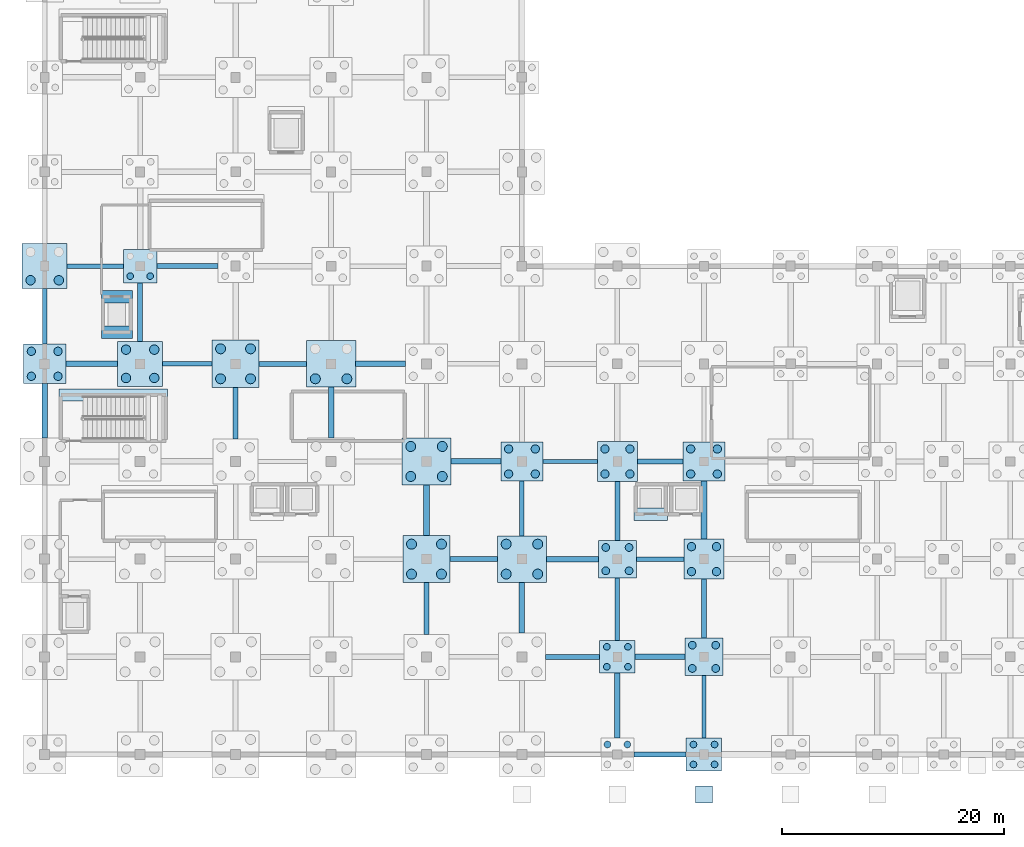
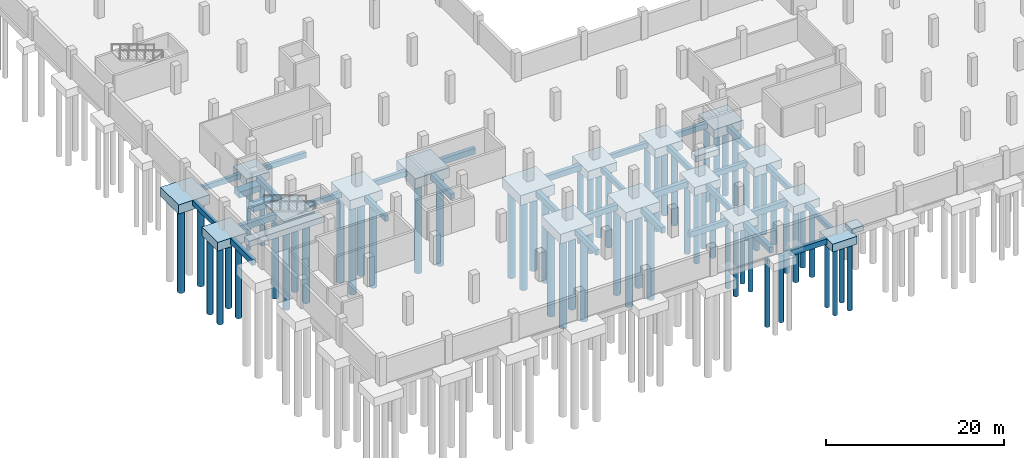
# One storey, part 2 of 28: 64 piles, 52 footings.
"""IFC4 building model written with IfcOpenShell, lengths in metres."""

from ifc_helpers import new_model, si_unit, direction, frame, origin, origin_2d, place, context, subcontext, project, spatial, rectangle, circle, extrude, material, material_profile, profile_set, type_object, element, save


model = new_model("IFC4")

# Units and contexts
model_context = context("Model", 3, precision=1e-05, world=origin(), true_north=direction((0.0, 1.0)))
body_context = subcontext(model_context, "Body", "Model", "MODEL_VIEW")
ifc_project = project(units=[si_unit("LENGTHUNIT", "METRE"), si_unit("AREAUNIT", "SQUARE_METRE"), si_unit("VOLUMEUNIT", "CUBIC_METRE"), si_unit("PLANEANGLEUNIT", "RADIAN"), si_unit("MASSUNIT", "GRAM", prefix="KILO")], contexts=[model_context])

# Site, building, storey
site_placement = place(None, origin())
site = spatial("IfcSite", under=ifc_project, at=site_placement, CompositionType="ELEMENT")
building_placement = place(site_placement, origin())
building = spatial("IfcBuilding", under=site, at=building_placement, Name="Varnakota Cinema and Media Centre", CompositionType="ELEMENT")
storey_placement = place(building_placement, frame((0.0, 0.0, -4.199951171875)))
storey = spatial("IfcBuildingStorey", under=building, at=storey_placement, Name="B1", CompositionType="ELEMENT", Elevation=-4.199951171875)

# Footings
ifc_material_1 = material(Name="Concrete M35", Category="concrete")
ifc_material_profile_1 = material_profile(ifc_material_1, rectangle(XDim=0.39990234375, YDim=0.699951171875, at=origin_2d()), Name="FB 400x700")
ifc_profile_set_1 = profile_set([ifc_material_profile_1], Name="Concrete M35")
footing_type_1 = type_object("IfcFootingType", Name="FB-400x700", PredefinedType="FOOTING_BEAM", material=ifc_profile_set_1)
footing_1_placement = place(storey_placement, frame((53.300048828125, 17.60009765625, -0.60009765625), z_axis=(1.0, 0.0, 0.0), x_axis=(0.0, 1.0, 0.0)))
element("IfcFooting", 1, at=footing_1_placement, inside=storey, type_object=footing_type_1, Name="Foundation tie beam G-H/3", PredefinedType="FOOTING_BEAM", context=body_context, shape_type="SweptSolid", body=[
    extrude(rectangle(XDim=0.39990234375, YDim=0.699951171875, at=origin_2d()), origin(), (0.0, 0.0, 1.0), 4.300048828125),
])
footing_2_placement = place(storey_placement, frame((44.89990234375, 26.39990234375, -0.60009765625), z_axis=(1.0, 0.0, 0.0), x_axis=(0.0, 1.0, 0.0)))
element("IfcFooting", 2, at=footing_2_placement, inside=storey, type_object=footing_type_1, Name="Foundation tie beam F-G/4", PredefinedType="FOOTING_BEAM", context=body_context, shape_type="SweptSolid", body=[
    extrude(rectangle(XDim=0.39990234375, YDim=0.699951171875, at=origin_2d()), origin(), (0.0, 0.0, 1.0), 4.900146484375),
])
footing_3_placement = place(storey_placement, frame((10.625, 35.199951171875, -0.60009765625), z_axis=(1.0, 0.0, 0.0), x_axis=(0.0, 1.0, 0.0)))
element("IfcFooting", 3, at=footing_3_placement, inside=storey, type_object=footing_type_1, Name="Foundation tie beam B-C/5", PredefinedType="FOOTING_BEAM", context=body_context, shape_type="SweptSolid", body=[
    extrude(rectangle(XDim=0.39990234375, YDim=0.699951171875, at=origin_2d()), origin(), (0.0, 0.0, 1.0), 4.449951171875),
])
footing_4_placement = place(storey_placement, frame((2.02490234375, 44.0, -0.60009765625), z_axis=(1.0, 0.0, 0.0), x_axis=(0.0, 1.0, 0.0)))
element("IfcFooting", 4, at=footing_4_placement, inside=storey, type_object=footing_type_1, Name="Foundation tie beam A-B/6", PredefinedType="FOOTING_BEAM", context=body_context, shape_type="SweptSolid", body=[
    extrude(rectangle(XDim=0.39990234375, YDim=0.699951171875, at=origin_2d()), origin(), (0.0, 0.0, 1.0), 5.0751953125),
])
footing_5_placement = place(storey_placement, frame((0.0, 36.97509765625, -0.60009765625), z_axis=(0.0, 1.0, 0.0), x_axis=(-1.0, 0.0, 0.0)))
element("IfcFooting", 5, at=footing_5_placement, inside=storey, type_object=footing_type_1, Name="Foundation tie beam A/5-6", PredefinedType="FOOTING_BEAM", context=body_context, shape_type="SweptSolid", body=[
    extrude(rectangle(XDim=0.39990234375, YDim=0.699951171875, at=origin_2d()), origin(), (0.0, 0.0, 1.0), 5.0),
])
footing_6_placement = place(storey_placement, frame((43.0, 19.699951171875, -0.60009765625), z_axis=(0.0, 1.0, 0.0), x_axis=(-1.0, 0.0, 0.0)))
element("IfcFooting", 6, at=footing_6_placement, inside=storey, type_object=footing_type_1, Name="Foundation tie beam F/3-4", PredefinedType="FOOTING_BEAM", context=body_context, shape_type="SweptSolid", body=[
    extrude(rectangle(XDim=0.39990234375, YDim=0.699951171875, at=origin_2d()), origin(), (0.0, 0.0, 1.0), 4.925048828125),
])
for number, where, z_axis, x_axis, name in (
    (7, (51.60009765625, 10.27490234375, -0.60009765625), (0.0, 1.0, 0.0), (-1.0, 0.0, 0.0), "Foundation tie beam G/2-3"),
    (8, (59.39990234375, 1.47509765625, -0.60009765625), (0.0, 1.0, 0.0), (-1.0, 0.0, 0.0), "Foundation tie beam H/1-2"),
):
    element("IfcFooting", number, at=place(storey_placement, frame(where, z_axis=z_axis, x_axis=x_axis)), inside=storey, type_object=footing_type_1, Name=name, PredefinedType="FOOTING_BEAM", context=body_context, shape_type="SweptSolid", body=[
        extrude(rectangle(XDim=0.39990234375, YDim=0.699951171875, at=origin_2d()), origin(), (0.0, 0.0, 1.0), 5.625),
    ])
ifc_material_2 = material(Name="Concrete M35", Category="concrete")
ifc_material_profile_2 = material_profile(ifc_material_2, rectangle(XDim=0.449951171875, YDim=0.75, at=origin_2d()), Name="FB 450x750")
ifc_profile_set_2 = profile_set([ifc_material_profile_2], Name="Concrete M35")
footing_type_2 = type_object("IfcFootingType", Name="FB-450x750", PredefinedType="FOOTING_BEAM", material=ifc_profile_set_2)
footing_7_placement = place(storey_placement, frame((53.10009765625, 0.0, -0.625), z_axis=(1.0, 0.0, 0.0), x_axis=(0.0, 1.0, 0.0)))
element("IfcFooting", 9, at=footing_7_placement, inside=storey, type_object=footing_type_2, Name="Foundation tie beam G-H/1", PredefinedType="FOOTING_BEAM", context=body_context, shape_type="SweptSolid", body=[
    extrude(rectangle(XDim=0.449951171875, YDim=0.75, at=origin_2d()), origin(), (0.0, 0.0, 1.0), 4.699951171875),
])
footing_8_placement = place(storey_placement, frame((45.125, 8.800048828125, -0.625), z_axis=(1.0, 0.0, 0.0), x_axis=(0.0, 1.0, 0.0)))
element("IfcFooting", 10, at=footing_8_placement, inside=storey, type_object=footing_type_2, Name="Foundation tie beam F-G/2", PredefinedType="FOOTING_BEAM", context=body_context, shape_type="SweptSolid", body=[
    extrude(rectangle(XDim=0.449951171875, YDim=0.75, at=origin_2d()), origin(), (0.0, 0.0, 1.0), 4.875),
])
footing_9_placement = place(storey_placement, frame((36.52490234375, 17.60009765625, -0.625), z_axis=(1.0, 0.0, 0.0), x_axis=(0.0, 1.0, 0.0)))
element("IfcFooting", 11, at=footing_9_placement, inside=storey, type_object=footing_type_2, Name="Foundation tie beam E-F/3", PredefinedType="FOOTING_BEAM", context=body_context, shape_type="SweptSolid", body=[
    extrude(rectangle(XDim=0.449951171875, YDim=0.75, at=origin_2d()), origin(), (0.0, 0.0, 1.0), 4.25),
])
footing_10_placement = place(storey_placement, frame((53.39990234375, 26.39990234375, -0.625), z_axis=(1.0, 0.0, 0.0), x_axis=(0.0, 1.0, 0.0)))
element("IfcFooting", 12, at=footing_10_placement, inside=storey, type_object=footing_type_2, Name="Foundation tie beam G-H/4", PredefinedType="FOOTING_BEAM", context=body_context, shape_type="SweptSolid", body=[
    extrude(rectangle(XDim=0.449951171875, YDim=0.75, at=origin_2d()), origin(), (0.0, 0.0, 1.0), 4.10009765625),
])
footing_11_placement = place(storey_placement, frame((19.324951171875, 35.199951171875, -0.625), z_axis=(1.0, 0.0, 0.0), x_axis=(0.0, 1.0, 0.0)))
element("IfcFooting", 13, at=footing_11_placement, inside=storey, type_object=footing_type_2, Name="Foundation tie beam C-D/5", PredefinedType="FOOTING_BEAM", context=body_context, shape_type="SweptSolid", body=[
    extrude(rectangle(XDim=0.449951171875, YDim=0.75, at=origin_2d()), origin(), (0.0, 0.0, 1.0), 4.25),
])
footing_12_placement = place(storey_placement, frame((10.10009765625, 44.0, -0.625), z_axis=(1.0, 0.0, 0.0), x_axis=(0.0, 1.0, 0.0)))
element("IfcFooting", 14, at=footing_12_placement, inside=storey, type_object=footing_type_2, Name="Foundation tie beam B-C/6", PredefinedType="FOOTING_BEAM", context=body_context, shape_type="SweptSolid", body=[
    extrude(rectangle(XDim=0.449951171875, YDim=0.75, at=origin_2d()), origin(), (0.0, 0.0, 1.0), 5.5),
])
footing_13_placement = place(storey_placement, frame((8.60009765625, 37.22509765625, -0.625), z_axis=(0.0, 1.0, 0.0), x_axis=(-1.0, 0.0, 0.0)))
element("IfcFooting", 15, at=footing_13_placement, inside=storey, type_object=footing_type_2, Name="Foundation tie beam B/5-6", PredefinedType="FOOTING_BEAM", context=body_context, shape_type="SweptSolid", body=[
    extrude(rectangle(XDim=0.449951171875, YDim=0.75, at=origin_2d()), origin(), (0.0, 0.0, 1.0), 5.27490234375),
])
footing_14_placement = place(storey_placement, frame((17.199951171875, 28.425048828125, -0.625), z_axis=(0.0, 1.0, 0.0), x_axis=(-1.0, 0.0, 0.0)))
element("IfcFooting", 16, at=footing_14_placement, inside=storey, type_object=footing_type_2, Name="Foundation tie beam C/4-5", PredefinedType="FOOTING_BEAM", context=body_context, shape_type="SweptSolid", body=[
    extrude(rectangle(XDim=0.449951171875, YDim=0.75, at=origin_2d()), origin(), (0.0, 0.0, 1.0), 4.64990234375),
])
footing_15_placement = place(storey_placement, frame((34.39990234375, 10.824951171875, -0.625), z_axis=(0.0, 1.0, 0.0), x_axis=(-1.0, 0.0, 0.0)))
element("IfcFooting", 17, at=footing_15_placement, inside=storey, type_object=footing_type_2, Name="Foundation tie beam E/2-3", PredefinedType="FOOTING_BEAM", context=body_context, shape_type="SweptSolid", body=[
    extrude(rectangle(XDim=0.449951171875, YDim=0.75, at=origin_2d()), origin(), (0.0, 0.0, 1.0), 4.650146484375),
])
for number, where, z_axis, x_axis, name in (
    (18, (51.60009765625, 19.300048828125, -0.625), (0.0, 1.0, 0.0), (-1.0, 0.0, 0.0), "Foundation tie beam G/3-4"),
    (19, (59.39990234375, 10.5, -0.625), (0.0, 1.0, 0.0), (-1.0, 0.0, 0.0), "Foundation tie beam H/2-3"),
):
    element("IfcFooting", number, at=place(storey_placement, frame(where, z_axis=z_axis, x_axis=x_axis)), inside=storey, type_object=footing_type_2, Name=name, PredefinedType="FOOTING_BEAM", context=body_context, shape_type="SweptSolid", body=[
        extrude(rectangle(XDim=0.449951171875, YDim=0.75, at=origin_2d()), origin(), (0.0, 0.0, 1.0), 5.300048828125),
    ])
ifc_material_3 = material(Name="Concrete M35", Category="concrete")
ifc_material_profile_3 = material_profile(ifc_material_3, rectangle(XDim=0.5, YDim=0.800048828125, at=origin_2d()), Name="FB 500x800")
ifc_profile_set_3 = profile_set([ifc_material_profile_3], Name="Concrete M35")
footing_type_3 = type_object("IfcFootingType", Name="FB-500x800", PredefinedType="FOOTING_BEAM", material=ifc_profile_set_3)
footing_16_placement = place(storey_placement, frame((53.199951171875, 8.800048828125, -0.650146484375), z_axis=(1.0, 0.0, 0.0), x_axis=(0.0, 1.0, 0.0)))
element("IfcFooting", 20, at=footing_16_placement, inside=storey, type_object=footing_type_3, Name="Foundation tie beam G-H/2", PredefinedType="FOOTING_BEAM", context=body_context, shape_type="SweptSolid", body=[
    extrude(rectangle(XDim=0.5, YDim=0.800048828125, at=origin_2d()), origin(), (0.0, 0.0, 1.0), 4.5),
])
footing_17_placement = place(storey_placement, frame((45.22509765625, 17.60009765625, -0.650146484375), z_axis=(1.0, 0.0, 0.0), x_axis=(0.0, 1.0, 0.0)))
element("IfcFooting", 21, at=footing_17_placement, inside=storey, type_object=footing_type_3, Name="Foundation tie beam F-G/3", PredefinedType="FOOTING_BEAM", context=body_context, shape_type="SweptSolid", body=[
    extrude(rectangle(XDim=0.5, YDim=0.800048828125, at=origin_2d()), origin(), (0.0, 0.0, 1.0), 4.6748046875),
])
footing_18_placement = place(storey_placement, frame((36.625, 26.39990234375, -0.650146484375), z_axis=(1.0, 0.0, 0.0), x_axis=(0.0, 1.0, 0.0)))
element("IfcFooting", 22, at=footing_18_placement, inside=storey, type_object=footing_type_3, Name="Foundation tie beam E-F/4", PredefinedType="FOOTING_BEAM", context=body_context, shape_type="SweptSolid", body=[
    extrude(rectangle(XDim=0.5, YDim=0.800048828125, at=origin_2d()), origin(), (0.0, 0.0, 1.0), 4.47509765625),
])
footing_19_placement = place(storey_placement, frame((1.89990234375, 35.199951171875, -0.650146484375), z_axis=(1.0, 0.0, 0.0), x_axis=(0.0, 1.0, 0.0)))
element("IfcFooting", 23, at=footing_19_placement, inside=storey, type_object=footing_type_3, Name="Foundation tie beam A-B/5", PredefinedType="FOOTING_BEAM", context=body_context, shape_type="SweptSolid", body=[
    extrude(rectangle(XDim=0.5, YDim=0.800048828125, at=origin_2d()), origin(), (0.0, 0.0, 1.0), 4.675048828125),
])
footing_20_placement = place(storey_placement, frame((28.02490234375, 35.199951171875, -0.650146484375), z_axis=(1.0, 0.0, 0.0), x_axis=(0.0, 1.0, 0.0)))
element("IfcFooting", 24, at=footing_20_placement, inside=storey, type_object=footing_type_3, Name="Foundation tie beam D-E/5", PredefinedType="FOOTING_BEAM", context=body_context, shape_type="SweptSolid", body=[
    extrude(rectangle(XDim=0.5, YDim=0.800048828125, at=origin_2d()), origin(), (0.0, 0.0, 1.0), 4.47509765625),
])
footing_21_placement = place(storey_placement, frame((0.0, 28.5, -0.650146484375), z_axis=(0.0, 1.0, 0.0), x_axis=(-1.0, 0.0, 0.0)))
element("IfcFooting", 25, at=footing_21_placement, inside=storey, type_object=footing_type_3, Name="Foundation tie beam A/4-5", PredefinedType="FOOTING_BEAM", context=body_context, shape_type="SweptSolid", body=[
    extrude(rectangle(XDim=0.5, YDim=0.800048828125, at=origin_2d()), origin(), (0.0, 0.0, 1.0), 4.925048828125),
])
footing_22_placement = place(storey_placement, frame((25.800048828125, 28.52490234375, -0.650146484375), z_axis=(0.0, 1.0, 0.0), x_axis=(-1.0, 0.0, 0.0)))
element("IfcFooting", 26, at=footing_22_placement, inside=storey, type_object=footing_type_3, Name="Foundation tie beam D/4-5", PredefinedType="FOOTING_BEAM", context=body_context, shape_type="SweptSolid", body=[
    extrude(rectangle(XDim=0.5, YDim=0.800048828125, at=origin_2d()), origin(), (0.0, 0.0, 1.0), 4.5751953125),
])
for number, where, z_axis, x_axis, name in (
    (27, (34.39990234375, 19.72509765625, -0.650146484375), (0.0, 1.0, 0.0), (-1.0, 0.0, 0.0), "Foundation tie beam E/3-4"),
    (28, (43.0, 10.925048828125, -0.650146484375), (0.0, 1.0, 0.0), (-1.0, 0.0, 0.0), "Foundation tie beam F/2-3"),
):
    element("IfcFooting", number, at=place(storey_placement, frame(where, z_axis=z_axis, x_axis=x_axis)), inside=storey, type_object=footing_type_3, Name=name, PredefinedType="FOOTING_BEAM", context=body_context, shape_type="SweptSolid", body=[
        extrude(rectangle(XDim=0.5, YDim=0.800048828125, at=origin_2d()), origin(), (0.0, 0.0, 1.0), 4.574951171875),
    ])
footing_23_placement = place(storey_placement, frame((51.60009765625, 1.5, -0.650146484375), z_axis=(0.0, 1.0, 0.0), x_axis=(-1.0, 0.0, 0.0)))
element("IfcFooting", 29, at=footing_23_placement, inside=storey, type_object=footing_type_3, Name="Foundation tie beam G/1-2", PredefinedType="FOOTING_BEAM", context=body_context, shape_type="SweptSolid", body=[
    extrude(rectangle(XDim=0.5, YDim=0.800048828125, at=origin_2d()), origin(), (0.0, 0.0, 1.0), 5.824951171875),
])
footing_24_placement = place(storey_placement, frame((59.39990234375, 19.39990234375, -0.650146484375), z_axis=(0.0, 1.0, 0.0), x_axis=(-1.0, 0.0, 0.0)))
element("IfcFooting", 30, at=footing_24_placement, inside=storey, type_object=footing_type_3, Name="Foundation tie beam H/3-4", PredefinedType="FOOTING_BEAM", context=body_context, shape_type="SweptSolid", body=[
    extrude(rectangle(XDim=0.5, YDim=0.800048828125, at=origin_2d()), origin(), (0.0, 0.0, 1.0), 5.22509765625),
])
ifc_material_4 = material(Name="Concrete M35", Category="concrete")
footing_type_4 = type_object("IfcFootingType", Name="PC-4P-600", PredefinedType="PILE_CAP", material=ifc_material_4)
footing_25_placement = place(storey_placement, frame((8.60009765625, 44.0, -1.30029296875), z_axis=(0.0, 0.0, 1.0), x_axis=(1.0, 0.0, 0.0)))
element("IfcFooting", 31, at=footing_25_placement, inside=storey, type_object=footing_type_4, Name="Pile cap B/6", PredefinedType="PILE_CAP", context=body_context, shape_type="SweptSolid", body=[
    extrude(rectangle(XDim=3.0, YDim=3.0, at=origin_2d()), origin(), (0.0, 0.0, 1.0), 1.050048828125),
])
ifc_material_5 = material(Name="Concrete M35", Category="concrete")
footing_type_5 = type_object("IfcFootingType", Name="PC-4P-600R", PredefinedType="PILE_CAP", material=ifc_material_5)
for number, where, z_axis, x_axis, name in (
    (32, (51.60009765625, 8.800048828125, -1.330078125), (0.0, 0.0, 1.0), (1.0, 0.0, 0.0), "Pile cap G/2"),
    (33, (59.39990234375, 0.0, -1.330078125), (0.0, 0.0, 1.0), (1.0, 0.0, 0.0), "Pile cap H/1"),
):
    element("IfcFooting", number, at=place(storey_placement, frame(where, z_axis=z_axis, x_axis=x_axis)), inside=storey, type_object=footing_type_5, Name=name, PredefinedType="PILE_CAP", context=body_context, shape_type="SweptSolid", body=[
        extrude(rectangle(XDim=3.199951171875, YDim=2.949951171875, at=origin_2d()), origin(), (0.0, 0.0, 1.0), 1.080078125),
    ])
ifc_material_6 = material(Name="Concrete M35", Category="concrete")
footing_type_6 = type_object("IfcFootingType", Name="PC-4P-700", PredefinedType="PILE_CAP", material=ifc_material_6)
for number, where, z_axis, x_axis, name in (
    (34, (51.60009765625, 17.60009765625, -1.3701171875), (0.0, 0.0, 1.0), (1.0, 0.0, 0.0), "Pile cap G/3"),
    (35, (59.39990234375, 8.800048828125, -1.3701171875), (0.0, 0.0, 1.0), (1.0, 0.0, 0.0), "Pile cap H/2"),
):
    element("IfcFooting", number, at=place(storey_placement, frame(where, z_axis=z_axis, x_axis=x_axis)), inside=storey, type_object=footing_type_6, Name=name, PredefinedType="PILE_CAP", context=body_context, shape_type="SweptSolid", body=[
        extrude(rectangle(XDim=3.39990234375, YDim=3.39990234375, at=origin_2d()), origin(), (0.0, 0.0, 1.0), 1.1201171875),
    ])
ifc_material_7 = material(Name="Concrete M35", Category="concrete")
footing_type_7 = type_object("IfcFootingType", Name="PC-4P-750", PredefinedType="PILE_CAP", material=ifc_material_7)
for number, where, z_axis, x_axis, name in (
    (36, (51.60009765625, 26.39990234375, -1.43017578125), (0.0, 0.0, 1.0), (1.0, 0.0, 0.0), "Pile cap G/4"),
    (37, (59.39990234375, 17.60009765625, -1.43017578125), (0.0, 0.0, 1.0), (1.0, 0.0, 0.0), "Pile cap H/3"),
):
    element("IfcFooting", number, at=place(storey_placement, frame(where, z_axis=z_axis, x_axis=x_axis)), inside=storey, type_object=footing_type_7, Name=name, PredefinedType="PILE_CAP", context=body_context, shape_type="SweptSolid", body=[
        extrude(rectangle(XDim=3.60009765625, YDim=3.60009765625, at=origin_2d()), origin(), (0.0, 0.0, 1.0), 1.179931640625),
    ])
ifc_material_8 = material(Name="Concrete M35", Category="concrete")
footing_type_8 = type_object("IfcFootingType", Name="PC-4P-750R", PredefinedType="PILE_CAP", material=ifc_material_8)
for number, where, z_axis, x_axis, name in (
    (38, (0.0, 35.199951171875, -1.4501953125), (0.0, 0.0, 1.0), (1.0, 0.0, 0.0), "Pile cap A/5"),
    (39, (43.0, 26.39990234375, -1.4501953125), (0.0, 0.0, 1.0), (1.0, 0.0, 0.0), "Pile cap F/4"),
    (40, (59.39990234375, 26.39990234375, -1.4501953125), (0.0, 0.0, 1.0), (1.0, 0.0, 0.0), "Pile cap H/4"),
):
    element("IfcFooting", number, at=place(storey_placement, frame(where, z_axis=z_axis, x_axis=x_axis)), inside=storey, type_object=footing_type_8, Name=name, PredefinedType="PILE_CAP", context=body_context, shape_type="SweptSolid", body=[
        extrude(rectangle(XDim=3.800048828125, YDim=3.550048828125, at=origin_2d()), origin(), (0.0, 0.0, 1.0), 1.199951171875),
    ])
ifc_material_9 = material(Name="Concrete M35", Category="concrete")
footing_type_9 = type_object("IfcFootingType", Name="PC-4P-850", PredefinedType="PILE_CAP", material=ifc_material_9)
for number, where, z_axis, x_axis, name in (
    (41, (0.0, 44.0, -1.5), (0.0, 0.0, 1.0), (1.0, 0.0, 0.0), "Pile cap A/6"),
    (42, (8.60009765625, 35.199951171875, -1.5), (0.0, 0.0, 1.0), (1.0, 0.0, 0.0), "Pile cap B/5"),
):
    element("IfcFooting", number, at=place(storey_placement, frame(where, z_axis=z_axis, x_axis=x_axis)), inside=storey, type_object=footing_type_9, Name=name, PredefinedType="PILE_CAP", context=body_context, shape_type="SweptSolid", body=[
        extrude(rectangle(XDim=4.050048828125, YDim=4.050048828125, at=origin_2d()), origin(), (0.0, 0.0, 1.0), 1.25),
    ])
ifc_material_10 = material(Name="Concrete M35", Category="concrete")
footing_type_10 = type_object("IfcFootingType", Name="PC-4P-900", PredefinedType="PILE_CAP", material=ifc_material_10)
for number, where, z_axis, x_axis, name in (
    (43, (17.199951171875, 35.199951171875, -1.55029296875), (0.0, 0.0, 1.0), (1.0, 0.0, 0.0), "Pile cap C/5"),
    (44, (34.39990234375, 17.60009765625, -1.55029296875), (0.0, 0.0, 1.0), (1.0, 0.0, 0.0), "Pile cap E/3"),
):
    element("IfcFooting", number, at=place(storey_placement, frame(where, z_axis=z_axis, x_axis=x_axis)), inside=storey, type_object=footing_type_10, Name=name, PredefinedType="PILE_CAP", context=body_context, shape_type="SweptSolid", body=[
        extrude(rectangle(XDim=4.25, YDim=4.25, at=origin_2d()), origin(), (0.0, 0.0, 1.0), 1.300048828125),
    ])
ifc_material_11 = material(Name="Concrete M35", Category="concrete")
footing_type_11 = type_object("IfcFootingType", Name="PC-4P-900W", PredefinedType="PILE_CAP", material=ifc_material_11)
for number, where, z_axis, x_axis, name in (
    (45, (25.800048828125, 35.199951171875, -1.60009765625), (0.0, 0.0, 1.0), (1.0, 0.0, 0.0), "Pile cap D/5"),
    (46, (34.39990234375, 26.39990234375, -1.60009765625), (0.0, 0.0, 1.0), (1.0, 0.0, 0.0), "Pile cap E/4"),
    (47, (43.0, 17.60009765625, -1.60009765625), (0.0, 0.0, 1.0), (1.0, 0.0, 0.0), "Pile cap F/3"),
):
    element("IfcFooting", number, at=place(storey_placement, frame(where, z_axis=z_axis, x_axis=x_axis)), inside=storey, type_object=footing_type_11, Name=name, PredefinedType="PILE_CAP", context=body_context, shape_type="SweptSolid", body=[
        extrude(rectangle(XDim=4.449951171875, YDim=4.199951171875, at=origin_2d()), origin(), (0.0, 0.0, 1.0), 1.35009765625),
    ])
ifc_material_12 = material(Name="Concrete M35", Category="concrete")
footing_type_12 = type_object("IfcFootingType", Name="PF-150", PredefinedType="PAD_FOOTING", material=ifc_material_12)
footing_26_placement = place(storey_placement, frame((59.39990234375, -3.60009765625, 2.594970703125), z_axis=(0.0, 0.0, 1.0), x_axis=(1.0, 0.0, 0.0)))
element("IfcFooting", 48, at=footing_26_placement, inside=storey, type_object=footing_type_12, Name="South forecourt edge pad footing 3", PredefinedType="PAD_FOOTING", context=body_context, shape_type="SweptSolid", body=[
    extrude(rectangle(XDim=1.5, YDim=1.5, at=origin_2d()), origin(), (0.0, 0.0, 1.0), 0.64990234375),
])

# Piles
ifc_material_13 = material(Name="Concrete M35", Category="concrete")
ifc_material_profile_4 = material_profile(ifc_material_13, circle(Radius=0.300048828125, at=origin_2d()), Name="PILE D600")
ifc_profile_set_4 = profile_set([ifc_material_profile_4], Name="Concrete M35")
pile_type_1 = type_object("IfcPileType", Name="PILE-D600", PredefinedType="BORED", material=ifc_profile_set_4)
for number, where, z_axis, x_axis, name in (
    (49, (7.699951171875, 43.10009765625, -1.199951171875), (0.0, 0.0, -1.0), (1.0, 0.0, 0.0), "Bored pile B/6-1"),
    (50, (9.5, 43.10009765625, -1.199951171875), (0.0, 0.0, -1.0), (1.0, 0.0, 0.0), "Bored pile B/6-2"),
    (51, (50.699951171875, 0.89990234375, -1.199951171875), (0.0, 0.0, -1.0), (1.0, 0.0, 0.0), "Bored pile G/1-3"),
    (52, (52.5, 0.89990234375, -1.199951171875), (0.0, 0.0, -1.0), (1.0, 0.0, 0.0), "Bored pile G/1-4"),
    (53, (50.64990234375, 7.89990234375, -1.22998046875), (0.0, 0.0, -1.0), (1.0, 0.0, 0.0), "Bored pile G/2-1"),
    (54, (52.550048828125, 7.89990234375, -1.22998046875), (0.0, 0.0, -1.0), (1.0, 0.0, 0.0), "Bored pile G/2-2"),
    (55, (50.64990234375, 9.699951171875, -1.22998046875), (0.0, 0.0, -1.0), (1.0, 0.0, 0.0), "Bored pile G/2-3"),
    (56, (52.550048828125, 9.699951171875, -1.22998046875), (0.0, 0.0, -1.0), (1.0, 0.0, 0.0), "Bored pile G/2-4"),
    (57, (58.449951171875, -0.89990234375, -1.22998046875), (0.0, 0.0, -1.0), (1.0, 0.0, 0.0), "Bored pile H/1-1"),
    (58, (60.35009765625, -0.89990234375, -1.22998046875), (0.0, 0.0, -1.0), (1.0, 0.0, 0.0), "Bored pile H/1-2"),
    (59, (58.449951171875, 0.89990234375, -1.22998046875), (0.0, 0.0, -1.0), (1.0, 0.0, 0.0), "Bored pile H/1-3"),
    (60, (60.35009765625, 0.89990234375, -1.22998046875), (0.0, 0.0, -1.0), (1.0, 0.0, 0.0), "Bored pile H/1-4"),
):
    element("IfcPile", number, at=place(storey_placement, frame(where, z_axis=z_axis, x_axis=x_axis)), inside=storey, type_object=pile_type_1, Name=name, PredefinedType="BORED", context=body_context, shape_type="SweptSolid", body=[
        extrude(circle(Radius=0.300048828125, at=origin_2d()), origin(), (0.0, 0.0, 1.0), 9.199951171875),
    ])
ifc_material_14 = material(Name="Concrete M35", Category="concrete")
ifc_material_profile_5 = material_profile(ifc_material_14, circle(Radius=0.35009765625, at=origin_2d()), Name="PILE D700")
ifc_profile_set_5 = profile_set([ifc_material_profile_5], Name="Concrete M35")
pile_type_2 = type_object("IfcPileType", Name="PILE-D700", PredefinedType="BORED", material=ifc_profile_set_5)
for number, where, z_axis, x_axis, name in (
    (61, (50.550048828125, 16.550048828125, -1.27001953125), (0.0, 0.0, -1.0), (1.0, 0.0, 0.0), "Bored pile G/3-1"),
    (62, (52.64990234375, 16.550048828125, -1.27001953125), (0.0, 0.0, -1.0), (1.0, 0.0, 0.0), "Bored pile G/3-2"),
    (63, (50.550048828125, 18.64990234375, -1.27001953125), (0.0, 0.0, -1.0), (1.0, 0.0, 0.0), "Bored pile G/3-3"),
    (64, (52.64990234375, 18.64990234375, -1.27001953125), (0.0, 0.0, -1.0), (1.0, 0.0, 0.0), "Bored pile G/3-4"),
    (65, (58.35009765625, 7.75, -1.27001953125), (0.0, 0.0, -1.0), (1.0, 0.0, 0.0), "Bored pile H/2-1"),
    (66, (60.449951171875, 7.75, -1.27001953125), (0.0, 0.0, -1.0), (1.0, 0.0, 0.0), "Bored pile H/2-2"),
    (67, (58.35009765625, 9.85009765625, -1.27001953125), (0.0, 0.0, -1.0), (1.0, 0.0, 0.0), "Bored pile H/2-3"),
    (68, (60.449951171875, 9.85009765625, -1.27001953125), (0.0, 0.0, -1.0), (1.0, 0.0, 0.0), "Bored pile H/2-4"),
):
    element("IfcPile", number, at=place(storey_placement, frame(where, z_axis=z_axis, x_axis=x_axis)), inside=storey, type_object=pile_type_2, Name=name, PredefinedType="BORED", context=body_context, shape_type="SweptSolid", body=[
        extrude(circle(Radius=0.35009765625, at=origin_2d()), origin(), (0.0, 0.0, 1.0), 9.800048828125),
    ])
ifc_material_15 = material(Name="Concrete M35", Category="concrete")
ifc_material_profile_6 = material_profile(ifc_material_15, circle(Radius=0.375, at=origin_2d()), Name="PILE D750")
ifc_profile_set_6 = profile_set([ifc_material_profile_6], Name="Concrete M35")
pile_type_3 = type_object("IfcPileType", Name="PILE-D750", PredefinedType="BORED", material=ifc_profile_set_6)
for number, where, z_axis, x_axis, name in (
    (69, (-1.199951171875, 34.074951171875, -1.35009765625), (0.0, 0.0, -1.0), (1.0, 0.0, 0.0), "Bored pile A/5-1"),
    (70, (1.199951171875, 34.074951171875, -1.35009765625), (0.0, 0.0, -1.0), (1.0, 0.0, 0.0), "Bored pile A/5-2"),
    (71, (-1.199951171875, 36.324951171875, -1.35009765625), (0.0, 0.0, -1.0), (1.0, 0.0, 0.0), "Bored pile A/5-3"),
    (72, (1.199951171875, 36.324951171875, -1.35009765625), (0.0, 0.0, -1.0), (1.0, 0.0, 0.0), "Bored pile A/5-4"),
    (73, (41.800048828125, 25.27490234375, -1.35009765625), (0.0, 0.0, -1.0), (1.0, 0.0, 0.0), "Bored pile F/4-1"),
    (74, (44.199951171875, 25.27490234375, -1.35009765625), (0.0, 0.0, -1.0), (1.0, 0.0, 0.0), "Bored pile F/4-2"),
    (75, (41.800048828125, 27.52490234375, -1.35009765625), (0.0, 0.0, -1.0), (1.0, 0.0, 0.0), "Bored pile F/4-3"),
    (76, (44.199951171875, 27.52490234375, -1.35009765625), (0.0, 0.0, -1.0), (1.0, 0.0, 0.0), "Bored pile F/4-4"),
    (77, (50.47509765625, 25.27490234375, -1.330078125), (0.0, 0.0, -1.0), (1.0, 0.0, 0.0), "Bored pile G/4-1"),
    (78, (52.72509765625, 25.27490234375, -1.330078125), (0.0, 0.0, -1.0), (1.0, 0.0, 0.0), "Bored pile G/4-2"),
    (79, (50.47509765625, 27.52490234375, -1.330078125), (0.0, 0.0, -1.0), (1.0, 0.0, 0.0), "Bored pile G/4-3"),
    (80, (52.72509765625, 27.52490234375, -1.330078125), (0.0, 0.0, -1.0), (1.0, 0.0, 0.0), "Bored pile G/4-4"),
    (81, (58.27490234375, 16.47509765625, -1.330078125), (0.0, 0.0, -1.0), (1.0, 0.0, 0.0), "Bored pile H/3-1"),
    (82, (60.52490234375, 16.47509765625, -1.330078125), (0.0, 0.0, -1.0), (1.0, 0.0, 0.0), "Bored pile H/3-2"),
    (83, (58.27490234375, 18.72509765625, -1.330078125), (0.0, 0.0, -1.0), (1.0, 0.0, 0.0), "Bored pile H/3-3"),
    (84, (60.52490234375, 18.72509765625, -1.330078125), (0.0, 0.0, -1.0), (1.0, 0.0, 0.0), "Bored pile H/3-4"),
    (85, (58.199951171875, 25.27490234375, -1.35009765625), (0.0, 0.0, -1.0), (1.0, 0.0, 0.0), "Bored pile H/4-1"),
    (86, (60.60009765625, 25.27490234375, -1.35009765625), (0.0, 0.0, -1.0), (1.0, 0.0, 0.0), "Bored pile H/4-2"),
    (87, (58.199951171875, 27.52490234375, -1.35009765625), (0.0, 0.0, -1.0), (1.0, 0.0, 0.0), "Bored pile H/4-3"),
    (88, (60.60009765625, 27.52490234375, -1.35009765625), (0.0, 0.0, -1.0), (1.0, 0.0, 0.0), "Bored pile H/4-4"),
):
    element("IfcPile", number, at=place(storey_placement, frame(where, z_axis=z_axis, x_axis=x_axis)), inside=storey, type_object=pile_type_3, Name=name, PredefinedType="BORED", context=body_context, shape_type="SweptSolid", body=[
        extrude(circle(Radius=0.375, at=origin_2d()), origin(), (0.0, 0.0, 1.0), 10.60009765625),
    ])
ifc_material_16 = material(Name="Concrete M35", Category="concrete")
ifc_material_profile_7 = material_profile(ifc_material_16, circle(Radius=0.425048828125, at=origin_2d()), Name="PILE D850")
ifc_profile_set_7 = profile_set([ifc_material_profile_7], Name="Concrete M35")
pile_type_4 = type_object("IfcPileType", Name="PILE-D850", PredefinedType="BORED", material=ifc_profile_set_7)
for number, where, z_axis, x_axis, name in (
    (89, (-1.27490234375, 42.72509765625, -1.400146484375), (0.0, 0.0, -1.0), (1.0, 0.0, 0.0), "Bored pile A/6-1"),
    (90, (1.27490234375, 42.72509765625, -1.400146484375), (0.0, 0.0, -1.0), (1.0, 0.0, 0.0), "Bored pile A/6-2"),
    (91, (7.324951171875, 33.925048828125, -1.400146484375), (0.0, 0.0, -1.0), (1.0, 0.0, 0.0), "Bored pile B/5-1"),
    (92, (9.875, 33.925048828125, -1.400146484375), (0.0, 0.0, -1.0), (1.0, 0.0, 0.0), "Bored pile B/5-2"),
    (93, (7.324951171875, 36.47509765625, -1.400146484375), (0.0, 0.0, -1.0), (1.0, 0.0, 0.0), "Bored pile B/5-3"),
    (94, (9.875, 36.47509765625, -1.400146484375), (0.0, 0.0, -1.0), (1.0, 0.0, 0.0), "Bored pile B/5-4"),
):
    element("IfcPile", number, at=place(storey_placement, frame(where, z_axis=z_axis, x_axis=x_axis)), inside=storey, type_object=pile_type_4, Name=name, PredefinedType="BORED", context=body_context, shape_type="SweptSolid", body=[
        extrude(circle(Radius=0.425048828125, at=origin_2d()), origin(), (0.0, 0.0, 1.0), 11.39990234375),
    ])
ifc_material_17 = material(Name="Concrete M35", Category="concrete")
ifc_material_profile_8 = material_profile(ifc_material_17, circle(Radius=0.449951171875, at=origin_2d()), Name="PILE D900")
ifc_profile_set_8 = profile_set([ifc_material_profile_8], Name="Concrete M35")
pile_type_5 = type_object("IfcPileType", Name="PILE-D900", PredefinedType="BORED", material=ifc_profile_set_8)
for number, where, z_axis, x_axis, name in (
    (95, (15.85009765625, 33.85009765625, -1.449951171875), (0.0, 0.0, -1.0), (1.0, 0.0, 0.0), "Bored pile C/5-1"),
    (96, (18.550048828125, 33.85009765625, -1.449951171875), (0.0, 0.0, -1.0), (1.0, 0.0, 0.0), "Bored pile C/5-2"),
    (97, (15.85009765625, 36.550048828125, -1.449951171875), (0.0, 0.0, -1.0), (1.0, 0.0, 0.0), "Bored pile C/5-3"),
    (98, (18.550048828125, 36.550048828125, -1.449951171875), (0.0, 0.0, -1.0), (1.0, 0.0, 0.0), "Bored pile C/5-4"),
    (99, (24.3798828125, 33.85009765625, -1.5), (0.0, 0.0, -1.0), (1.0, 0.0, 0.0), "Bored pile D/5-1"),
    (100, (27.219970703125, 33.85009765625, -1.5), (0.0, 0.0, -1.0), (1.0, 0.0, 0.0), "Bored pile D/5-2"),
    (101, (33.050048828125, 16.25, -1.449951171875), (0.0, 0.0, -1.0), (1.0, 0.0, 0.0), "Bored pile E/3-1"),
    (102, (35.75, 16.25, -1.449951171875), (0.0, 0.0, -1.0), (1.0, 0.0, 0.0), "Bored pile E/3-2"),
    (103, (33.050048828125, 18.949951171875, -1.449951171875), (0.0, 0.0, -1.0), (1.0, 0.0, 0.0), "Bored pile E/3-3"),
    (104, (35.75, 18.949951171875, -1.449951171875), (0.0, 0.0, -1.0), (1.0, 0.0, 0.0), "Bored pile E/3-4"),
    (105, (32.97998046875, 25.050048828125, -1.5), (0.0, 0.0, -1.0), (1.0, 0.0, 0.0), "Bored pile E/4-1"),
    (106, (35.820068359375, 25.050048828125, -1.5), (0.0, 0.0, -1.0), (1.0, 0.0, 0.0), "Bored pile E/4-2"),
    (107, (32.97998046875, 27.75, -1.5), (0.0, 0.0, -1.0), (1.0, 0.0, 0.0), "Bored pile E/4-3"),
    (108, (35.820068359375, 27.75, -1.5), (0.0, 0.0, -1.0), (1.0, 0.0, 0.0), "Bored pile E/4-4"),
    (109, (41.580078125, 16.25, -1.5), (0.0, 0.0, -1.0), (1.0, 0.0, 0.0), "Bored pile F/3-1"),
    (110, (44.419921875, 16.25, -1.5), (0.0, 0.0, -1.0), (1.0, 0.0, 0.0), "Bored pile F/3-2"),
    (111, (41.580078125, 18.949951171875, -1.5), (0.0, 0.0, -1.0), (1.0, 0.0, 0.0), "Bored pile F/3-3"),
    (112, (44.419921875, 18.949951171875, -1.5), (0.0, 0.0, -1.0), (1.0, 0.0, 0.0), "Bored pile F/3-4"),
):
    element("IfcPile", number, at=place(storey_placement, frame(where, z_axis=z_axis, x_axis=x_axis)), inside=storey, type_object=pile_type_5, Name=name, PredefinedType="BORED", context=body_context, shape_type="SweptSolid", body=[
        extrude(circle(Radius=0.449951171875, at=origin_2d()), origin(), (0.0, 0.0, 1.0), 12.199951171875),
    ])

# Footings
ifc_material_18 = material(Name="Concrete M35", Category="concrete")
ifc_material_profile_9 = material_profile(ifc_material_18, rectangle(XDim=1.10009765625, YDim=0.800048828125, at=origin_2d()), Name="SF 1100x800")
ifc_profile_set_9 = profile_set([ifc_material_profile_9], Name="Concrete M35")
footing_type_13 = type_object("IfcFootingType", Name="SF-CORE-1100x800", PredefinedType="STRIP_FOOTING", material=ifc_profile_set_9)
footing_27_placement = place(storey_placement, frame((1.300048828125, 32.39990234375, -0.650146484375), z_axis=(1.0, 0.0, 0.0), x_axis=(0.0, 1.0, 0.0)))
element("IfcFooting", 113, at=footing_27_placement, inside=storey, type_object=footing_type_13, Name="Core strip footing ST-B1 N", PredefinedType="STRIP_FOOTING", context=body_context, shape_type="SweptSolid", body=[
    extrude(rectangle(XDim=1.10009765625, YDim=0.800048828125, at=origin_2d()), origin(), (0.0, 0.0, 1.0), 9.760009765625),
])
for number, where, z_axis, x_axis, name in (
    (114, (5.10009765625, 38.050048828125, -0.650146484375), (1.0, 0.0, 0.0), (0.0, 1.0, 0.0), "Core strip footing LF-02 S"),
    (115, (5.10009765625, 41.25, -0.650146484375), (1.0, 0.0, 0.0), (0.0, 1.0, 0.0), "Core strip footing LF-02 N"),
):
    element("IfcFooting", number, at=place(storey_placement, frame(where, z_axis=z_axis, x_axis=x_axis)), inside=storey, type_object=footing_type_13, Name=name, PredefinedType="STRIP_FOOTING", context=body_context, shape_type="SweptSolid", body=[
        extrude(rectangle(XDim=1.10009765625, YDim=0.800048828125, at=origin_2d()), origin(), (0.0, 0.0, 1.0), 2.7998046875),
    ])
footing_28_placement = place(storey_placement, frame((53.10009765625, 21.64990234375, -0.650146484375), z_axis=(1.0, 0.0, 0.0), x_axis=(0.0, 1.0, 0.0)))
element("IfcFooting", 116, at=footing_28_placement, inside=storey, type_object=footing_type_13, Name="Core strip footing LF-05 S", PredefinedType="STRIP_FOOTING", context=body_context, shape_type="SweptSolid", body=[
    extrude(rectangle(XDim=1.10009765625, YDim=0.800048828125, at=origin_2d()), origin(), (0.0, 0.0, 1.0), 3.0),
])

save(model, "model.ifc")
